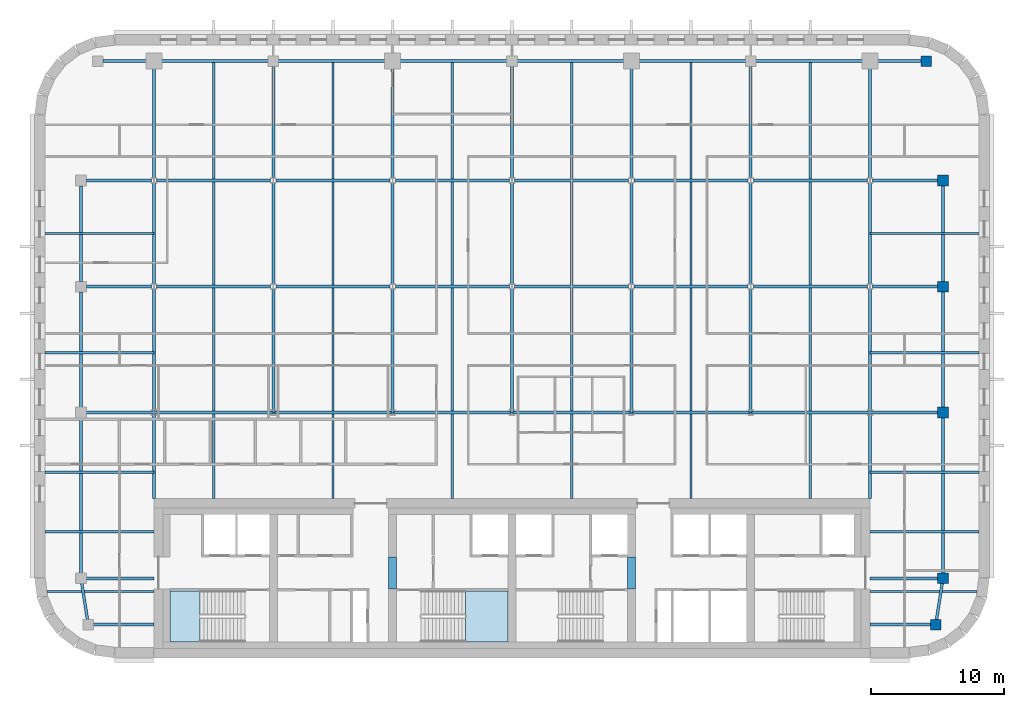
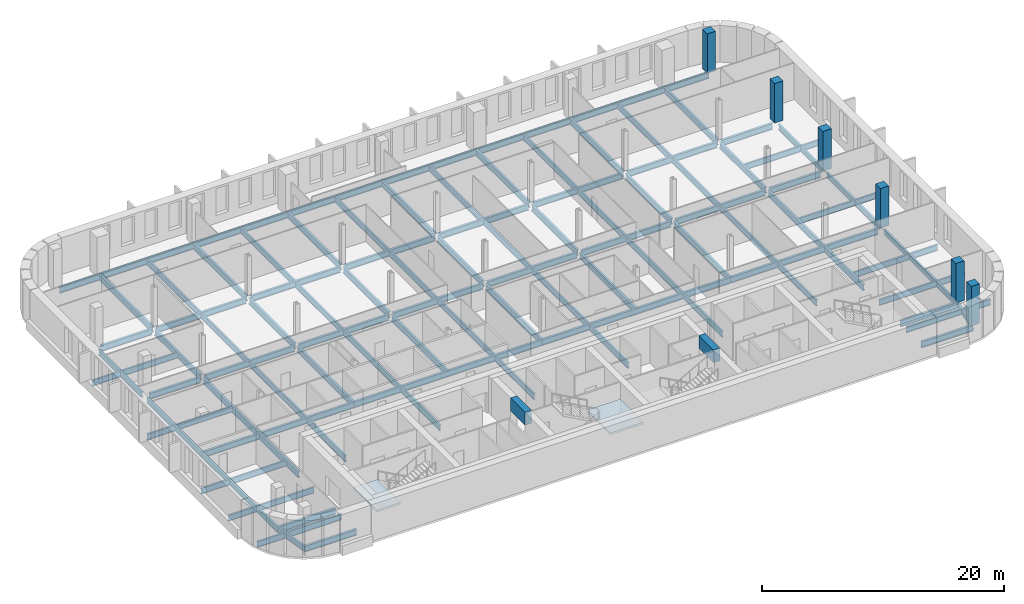
# One storey, part 4 of 15: 75 beams, 6 columns, 2 slabs, 2 elements without a shape of their own.
"""IFC4 building model written with IfcOpenShell, lengths in metres."""

from ifc_helpers import new_model, si_unit, direction, frame, origin, origin_2d, place, context, subcontext, project, spatial, polyline, rectangle, i_section, outline, extrude, material, layer, layer_set, material_profile, profile_set, type_object, element, aggregate, save


model = new_model("IFC4")

# Units and contexts
model_context = context("Model", 3, precision=1e-05, world=origin(), true_north=direction((0.0, 1.0)))
body_context = subcontext(model_context, "Body", "Model", "MODEL_VIEW")
ifc_project = project(units=[si_unit("LENGTHUNIT", "METRE"), si_unit("AREAUNIT", "SQUARE_METRE"), si_unit("VOLUMEUNIT", "CUBIC_METRE"), si_unit("PLANEANGLEUNIT", "RADIAN"), si_unit("MASSUNIT", "GRAM", prefix="KILO")], contexts=[model_context])

# Site, building, storey
site_placement = place(None, origin())
site = spatial("IfcSite", under=ifc_project, at=site_placement, CompositionType="ELEMENT")
building_placement = place(site_placement, origin())
building = spatial("IfcBuilding", under=site, at=building_placement, Name="Zellij Exchange Tower", CompositionType="ELEMENT")
storey_placement = place(building_placement, frame((0.0, 0.0, 260.5)))
storey = spatial("IfcBuildingStorey", under=building, at=storey_placement, Name="L61", CompositionType="ELEMENT", Elevation=260.5)

# Columns
ifc_material_1 = material(Name="Concrete C50/60", Category="concrete")
ifc_material_profile_1 = material_profile(ifc_material_1, rectangle(XDim=0.800048828125, YDim=0.800048828125, at=origin_2d()), Name="STR-COLUMN RC800x800 C50/60")
ifc_profile_set_1 = profile_set([ifc_material_profile_1], Name="Concrete C50/60")
column_type = type_object("IfcColumnType", Name="STR-COLUMN RC800x800 C50/60", PredefinedType="COLUMN", material=ifc_profile_set_1)
for number, where, z_axis, x_axis, name in (
    (1, (31.949951171875, -11.5, 0.0), (0.0, 0.0, 1.0), (1.0, 0.0, 0.0), "C15"),
    (2, (32.5, -8.0, 0.0), (0.0, 0.0, 1.0), (1.0, 0.0, 0.0), "C15"),
    (3, (32.5, 4.5, 0.0), (0.0, 0.0, 1.0), (1.0, 0.0, 0.0), "C15"),
    (4, (32.5, 14.0, 0.0), (0.0, 0.0, 1.0), (1.0, 0.0, 0.0), "C15"),
    (5, (32.5, 22.0, 0.0), (0.0, 0.0, 1.0), (1.0, 0.0, 0.0), "C15"),
    (6, (31.25, 31.0, 0.0), (0.0, 0.0, 1.0), (1.0, 0.0, 0.0), "C15"),
):
    element("IfcColumn", number, at=place(storey_placement, frame(where, z_axis=z_axis, x_axis=x_axis)), inside=storey, type_object=column_type, Name=name, PredefinedType="COLUMN", context=body_context, shape_type="SweptSolid", body=[
        extrude(rectangle(XDim=0.800048828125, YDim=0.800048828125, at=origin_2d()), origin(), (0.0, 0.0, 1.0), 4.0),
    ])

# Beams
ifc_material_profile_2 = material_profile(ifc_material_1, rectangle(XDim=0.60009765625, YDim=1.300048828125, at=origin_2d()), Name="CORE-CB 600x1300 C50/60")
ifc_profile_set_2 = profile_set([ifc_material_profile_2], Name="Concrete C50/60")
beam_type_1 = type_object("IfcBeamType", Name="CORE-CB 600x1300 C50/60", PredefinedType="BEAM", material=ifc_profile_set_2)
for number, where, z_axis, x_axis, name in (
    (7, (-9.0, -8.800048828125, 3.050048828125), (0.0, 1.0, 0.0), (-1.0, 0.0, 0.0), "Core coupling beam x -9 L61"),
    (8, (9.0, -8.800048828125, 3.050048828125), (0.0, 1.0, 0.0), (-1.0, 0.0, 0.0), "Core coupling beam x 9 L61"),
):
    element("IfcBeam", number, at=place(storey_placement, frame(where, z_axis=z_axis, x_axis=x_axis)), inside=storey, type_object=beam_type_1, Name=name, PredefinedType="BEAM", context=body_context, shape_type="SweptSolid", body=[
        extrude(rectangle(XDim=0.60009765625, YDim=1.300048828125, at=origin_2d()), origin(), (0.0, 0.0, 1.0), 2.425048828125),
    ])
ifc_material_2 = material(Name="Structural steel ASTM A992 Gr 50", Category="steel")
ifc_material_profile_3 = material_profile(ifc_material_2, i_section(OverallWidth=0.177978515625, OverallDepth=0.599365234375, WebThickness=0.010009765625, FlangeThickness=0.012939453125, at=origin_2d()), Name="W24x55")
ifc_profile_set_3 = profile_set([ifc_material_profile_3], Name="Structural steel ASTM A992 Gr 50")
beam_type_2 = type_object("IfcBeamType", Name="STR-BEAM W24x55", PredefinedType="BEAM", material=ifc_profile_set_3)
for number, where, z_axis, x_axis, name in (
    (9, (-22.5, -2.0, -0.499755859375), (0.0, 1.0, 0.0), (-1.0, 0.0, 0.0), "B4"),
    (10, (-13.5, -2.0, -0.499755859375), (0.0, 1.0, 0.0), (-1.0, 0.0, 0.0), "B4"),
    (11, (-4.5, -2.0, -0.499755859375), (0.0, 1.0, 0.0), (-1.0, 0.0, 0.0), "B4"),
    (12, (4.5, -2.0, -0.499755859375), (0.0, 1.0, 0.0), (-1.0, 0.0, 0.0), "B4"),
    (13, (13.5, -2.0, -0.499755859375), (0.0, 1.0, 0.0), (-1.0, 0.0, 0.0), "B4"),
    (14, (22.5, -2.0, -0.499755859375), (0.0, 1.0, 0.0), (-1.0, 0.0, 0.0), "B4"),
):
    element("IfcBeam", number, at=place(storey_placement, frame(where, z_axis=z_axis, x_axis=x_axis)), inside=storey, type_object=beam_type_2, Name=name, PredefinedType="BEAM", context=body_context, shape_type="SweptSolid", body=[
        extrude(i_section(OverallWidth=0.177978515625, OverallDepth=0.599365234375, WebThickness=0.010009765625, FlangeThickness=0.012939453125, at=origin_2d()), origin(), (0.0, 0.0, 1.0), 33.1142578125),
    ])
beam_1_placement = place(storey_placement, frame((-35.06103515625, -9.0, -0.499755859375), z_axis=(1.0, 0.0, 0.0), x_axis=(0.0, 1.0, 0.0)))
element("IfcBeam", 15, at=beam_1_placement, inside=storey, type_object=beam_type_2, Name="B4", PredefinedType="BEAM", context=body_context, shape_type="SweptSolid", body=[
    extrude(i_section(OverallWidth=0.177978515625, OverallDepth=0.599365234375, WebThickness=0.010009765625, FlangeThickness=0.012939453125, at=origin_2d()), origin(), (0.0, 0.0, 1.0), 8.06103515625),
])
for number, where, z_axis, x_axis, name in (
    (16, (-35.199951171875, -4.5, -0.499755859375), (1.0, 0.0, 0.0), (0.0, 1.0, 0.0), "B4"),
    (17, (-35.199951171875, 0.0, -0.499755859375), (1.0, 0.0, 0.0), (0.0, 1.0, 0.0), "B4"),
    (18, (-35.199951171875, 9.0, -0.499755859375), (1.0, 0.0, 0.0), (0.0, 1.0, 0.0), "B4"),
    (19, (-35.199951171875, 18.0, -0.499755859375), (1.0, 0.0, 0.0), (0.0, 1.0, 0.0), "B4"),
):
    element("IfcBeam", number, at=place(storey_placement, frame(where, z_axis=z_axis, x_axis=x_axis)), inside=storey, type_object=beam_type_2, Name=name, PredefinedType="BEAM", context=body_context, shape_type="SweptSolid", body=[
        extrude(i_section(OverallWidth=0.177978515625, OverallDepth=0.599365234375, WebThickness=0.010009765625, FlangeThickness=0.012939453125, at=origin_2d()), origin(), (0.0, 0.0, 1.0), 8.199951171875),
    ])
beam_2_placement = place(storey_placement, frame((27.0, -9.0, -0.499755859375), z_axis=(1.0, 0.0, 0.0), x_axis=(0.0, 1.0, 0.0)))
element("IfcBeam", 20, at=beam_2_placement, inside=storey, type_object=beam_type_2, Name="B4", PredefinedType="BEAM", context=body_context, shape_type="SweptSolid", body=[
    extrude(i_section(OverallWidth=0.177978515625, OverallDepth=0.599365234375, WebThickness=0.010009765625, FlangeThickness=0.012939453125, at=origin_2d()), origin(), (0.0, 0.0, 1.0), 8.06103515625),
])
for number, where, z_axis, x_axis, name in (
    (21, (27.0, -4.5, -0.499755859375), (1.0, 0.0, 0.0), (0.0, 1.0, 0.0), "B4"),
    (22, (27.0, 0.0, -0.499755859375), (1.0, 0.0, 0.0), (0.0, 1.0, 0.0), "B4"),
    (23, (27.0, 9.0, -0.499755859375), (1.0, 0.0, 0.0), (0.0, 1.0, 0.0), "B4"),
    (24, (27.0, 18.0, -0.499755859375), (1.0, 0.0, 0.0), (0.0, 1.0, 0.0), "B4"),
):
    element("IfcBeam", number, at=place(storey_placement, frame(where, z_axis=z_axis, x_axis=x_axis)), inside=storey, type_object=beam_type_2, Name=name, PredefinedType="BEAM", context=body_context, shape_type="SweptSolid", body=[
        extrude(i_section(OverallWidth=0.177978515625, OverallDepth=0.599365234375, WebThickness=0.010009765625, FlangeThickness=0.012939453125, at=origin_2d()), origin(), (0.0, 0.0, 1.0), 8.199951171875),
    ])
ifc_material_profile_4 = material_profile(ifc_material_2, i_section(OverallWidth=0.209228515625, OverallDepth=0.533447265625, WebThickness=0.01025390625, FlangeThickness=0.015625, at=origin_2d()), Name="W21x62")
ifc_profile_set_4 = profile_set([ifc_material_profile_4], Name="Structural steel ASTM A992 Gr 50")
beam_type_3 = type_object("IfcBeamType", Name="STR-EDGE GIRDER W21x62", PredefinedType="BEAM", material=ifc_profile_set_4)
beam_3_placement = place(storey_placement, frame((-31.949951171875, -11.5, -0.466796875), z_axis=(-0.155251283593, 0.987875011802, 0.0), x_axis=(-0.987875011802, -0.155251283593, 0.0)))
element("IfcBeam", 25, at=beam_3_placement, inside=storey, type_object=beam_type_3, Name="EB3", PredefinedType="BEAM", context=body_context, shape_type="SweptSolid", body=[
    extrude(i_section(OverallWidth=0.209228515625, OverallDepth=0.533447265625, WebThickness=0.01025390625, FlangeThickness=0.015625, at=origin_2d()), origin(), (0.0, 0.0, 1.0), 3.54296875),
])
beam_4_placement = place(storey_placement, frame((-32.5, -8.0, -0.466796875), z_axis=(0.0, 1.0, 0.0), x_axis=(-1.0, 0.0, 0.0)))
element("IfcBeam", 26, at=beam_4_placement, inside=storey, type_object=beam_type_3, Name="EB3", PredefinedType="BEAM", context=body_context, shape_type="SweptSolid", body=[
    extrude(i_section(OverallWidth=0.209228515625, OverallDepth=0.533447265625, WebThickness=0.01025390625, FlangeThickness=0.015625, at=origin_2d()), origin(), (0.0, 0.0, 1.0), 12.5),
])
beam_5_placement = place(storey_placement, frame((-32.5, 4.5, -0.466796875), z_axis=(0.0, 1.0, 0.0), x_axis=(-1.0, 0.0, 0.0)))
element("IfcBeam", 27, at=beam_5_placement, inside=storey, type_object=beam_type_3, Name="EB3", PredefinedType="BEAM", context=body_context, shape_type="SweptSolid", body=[
    extrude(i_section(OverallWidth=0.209228515625, OverallDepth=0.533447265625, WebThickness=0.01025390625, FlangeThickness=0.015625, at=origin_2d()), origin(), (0.0, 0.0, 1.0), 9.10009765625),
])
beam_6_placement = place(storey_placement, frame((-32.5, 14.39990234375, -0.466796875), z_axis=(0.0, 1.0, 0.0), x_axis=(-1.0, 0.0, 0.0)))
element("IfcBeam", 28, at=beam_6_placement, inside=storey, type_object=beam_type_3, Name="EB3", PredefinedType="BEAM", context=body_context, shape_type="SweptSolid", body=[
    extrude(i_section(OverallWidth=0.209228515625, OverallDepth=0.533447265625, WebThickness=0.01025390625, FlangeThickness=0.015625, at=origin_2d()), origin(), (0.0, 0.0, 1.0), 7.2001953125),
])
beam_7_placement = place(storey_placement, frame((31.949951171875, -11.5, -0.466796875), z_axis=(0.155251283593, 0.987875011802, 0.0), x_axis=(-0.987875011802, 0.155251283593, 0.0)))
element("IfcBeam", 29, at=beam_7_placement, inside=storey, type_object=beam_type_3, Name="EB3", PredefinedType="BEAM", context=body_context, shape_type="SweptSolid", body=[
    extrude(i_section(OverallWidth=0.209228515625, OverallDepth=0.533447265625, WebThickness=0.01025390625, FlangeThickness=0.015625, at=origin_2d()), origin(), (0.0, 0.0, 1.0), 3.54296875),
])
beam_8_placement = place(storey_placement, frame((32.5, -8.0, -0.466796875), z_axis=(0.0, 1.0, 0.0), x_axis=(-1.0, 0.0, 0.0)))
element("IfcBeam", 30, at=beam_8_placement, inside=storey, type_object=beam_type_3, Name="EB3", PredefinedType="BEAM", context=body_context, shape_type="SweptSolid", body=[
    extrude(i_section(OverallWidth=0.209228515625, OverallDepth=0.533447265625, WebThickness=0.01025390625, FlangeThickness=0.015625, at=origin_2d()), origin(), (0.0, 0.0, 1.0), 12.10009765625),
])
beam_9_placement = place(storey_placement, frame((32.5, 4.89990234375, -0.466796875), z_axis=(0.0, 1.0, 0.0), x_axis=(-1.0, 0.0, 0.0)))
element("IfcBeam", 31, at=beam_9_placement, inside=storey, type_object=beam_type_3, Name="EB3", PredefinedType="BEAM", context=body_context, shape_type="SweptSolid", body=[
    extrude(i_section(OverallWidth=0.209228515625, OverallDepth=0.533447265625, WebThickness=0.01025390625, FlangeThickness=0.015625, at=origin_2d()), origin(), (0.0, 0.0, 1.0), 8.7001953125),
])
beam_10_placement = place(storey_placement, frame((32.5, 14.39990234375, -0.466796875), z_axis=(0.0, 1.0, 0.0), x_axis=(-1.0, 0.0, 0.0)))
element("IfcBeam", 32, at=beam_10_placement, inside=storey, type_object=beam_type_3, Name="EB3", PredefinedType="BEAM", context=body_context, shape_type="SweptSolid", body=[
    extrude(i_section(OverallWidth=0.209228515625, OverallDepth=0.533447265625, WebThickness=0.01025390625, FlangeThickness=0.015625, at=origin_2d()), origin(), (0.0, 0.0, 1.0), 7.2001953125),
])
ifc_material_profile_5 = material_profile(ifc_material_2, i_section(OverallWidth=0.228271484375, OverallDepth=0.607177734375, WebThickness=0.01123046875, FlangeThickness=0.017333984375, at=origin_2d()), Name="W24x76")
ifc_profile_set_5 = profile_set([ifc_material_profile_5], Name="Structural steel ASTM A992 Gr 50")
beam_type_4 = type_object("IfcBeamType", Name="STR-GIRDER W24x76", PredefinedType="BEAM", material=ifc_profile_set_5)
for number, where, z_axis, x_axis, name in (
    (33, (-31.949951171875, -11.5, -0.50341796875), (1.0, 0.0, 0.0), (0.0, 1.0, 0.0), "G2"),
    (34, (27.0, -11.5, -0.50341796875), (1.0, 0.0, 0.0), (0.0, 1.0, 0.0), "G2"),
):
    element("IfcBeam", number, at=place(storey_placement, frame(where, z_axis=z_axis, x_axis=x_axis)), inside=storey, type_object=beam_type_4, Name=name, PredefinedType="BEAM", context=body_context, shape_type="SweptSolid", body=[
        extrude(i_section(OverallWidth=0.228271484375, OverallDepth=0.607177734375, WebThickness=0.01123046875, FlangeThickness=0.017333984375, at=origin_2d()), origin(), (0.0, 0.0, 1.0), 4.949951171875),
    ])
for number, where, z_axis, x_axis, name in (
    (35, (-32.5, -8.0, -0.50341796875), (1.0, 0.0, 0.0), (0.0, 1.0, 0.0), "G2"),
    (36, (27.0, -8.0, -0.50341796875), (1.0, 0.0, 0.0), (0.0, 1.0, 0.0), "G2"),
):
    element("IfcBeam", number, at=place(storey_placement, frame(where, z_axis=z_axis, x_axis=x_axis)), inside=storey, type_object=beam_type_4, Name=name, PredefinedType="BEAM", context=body_context, shape_type="SweptSolid", body=[
        extrude(i_section(OverallWidth=0.228271484375, OverallDepth=0.607177734375, WebThickness=0.01123046875, FlangeThickness=0.017333984375, at=origin_2d()), origin(), (0.0, 0.0, 1.0), 5.5),
    ])
beam_11_placement = place(storey_placement, frame((-32.5, 4.5, -0.50341796875), z_axis=(1.0, 0.0, 0.0), x_axis=(0.0, 1.0, 0.0)))
element("IfcBeam", 37, at=beam_11_placement, inside=storey, type_object=beam_type_4, Name="G2", PredefinedType="BEAM", context=body_context, shape_type="SweptSolid", body=[
    extrude(i_section(OverallWidth=0.228271484375, OverallDepth=0.607177734375, WebThickness=0.01123046875, FlangeThickness=0.017333984375, at=origin_2d()), origin(), (0.0, 0.0, 1.0), 14.5),
])
for number, where, z_axis, x_axis, name in (
    (38, (-18.0, 4.5, -0.50341796875), (1.0, 0.0, 0.0), (0.0, 1.0, 0.0), "G2"),
    (39, (0.0, 4.5, -0.50341796875), (1.0, 0.0, 0.0), (0.0, 1.0, 0.0), "G2"),
):
    element("IfcBeam", number, at=place(storey_placement, frame(where, z_axis=z_axis, x_axis=x_axis)), inside=storey, type_object=beam_type_4, Name=name, PredefinedType="BEAM", context=body_context, shape_type="SweptSolid", body=[
        extrude(i_section(OverallWidth=0.228271484375, OverallDepth=0.607177734375, WebThickness=0.01123046875, FlangeThickness=0.017333984375, at=origin_2d()), origin(), (0.0, 0.0, 1.0), 18.0),
    ])
beam_12_placement = place(storey_placement, frame((18.0, 4.5, -0.50341796875), z_axis=(1.0, 0.0, 0.0), x_axis=(0.0, 1.0, 0.0)))
element("IfcBeam", 40, at=beam_12_placement, inside=storey, type_object=beam_type_4, Name="G2", PredefinedType="BEAM", context=body_context, shape_type="SweptSolid", body=[
    extrude(i_section(OverallWidth=0.228271484375, OverallDepth=0.607177734375, WebThickness=0.01123046875, FlangeThickness=0.017333984375, at=origin_2d()), origin(), (0.0, 0.0, 1.0), 14.10009765625),
])
beam_13_placement = place(storey_placement, frame((-32.10009765625, 14.0, -0.50341796875), z_axis=(1.0, 0.0, 0.0), x_axis=(0.0, 1.0, 0.0)))
element("IfcBeam", 41, at=beam_13_placement, inside=storey, type_object=beam_type_4, Name="G2", PredefinedType="BEAM", context=body_context, shape_type="SweptSolid", body=[
    extrude(i_section(OverallWidth=0.228271484375, OverallDepth=0.607177734375, WebThickness=0.01123046875, FlangeThickness=0.017333984375, at=origin_2d()), origin(), (0.0, 0.0, 1.0), 4.900634765625),
])
for number, where, z_axis, x_axis, name in (
    (42, (-26.800537109375, 14.0, -0.50341796875), (1.0, 0.0, 0.0), (0.0, 1.0, 0.0), "G2"),
    (43, (-17.800537109375, 14.0, -0.50341796875), (1.0, 0.0, 0.0), (0.0, 1.0, 0.0), "G2"),
    (44, (-8.800537109375, 14.0, -0.50341796875), (1.0, 0.0, 0.0), (0.0, 1.0, 0.0), "G2"),
    (45, (0.199462890625, 14.0, -0.50341796875), (1.0, 0.0, 0.0), (0.0, 1.0, 0.0), "G2"),
    (46, (9.199462890625, 14.0, -0.50341796875), (1.0, 0.0, 0.0), (0.0, 1.0, 0.0), "G2"),
    (47, (18.199462890625, 14.0, -0.50341796875), (1.0, 0.0, 0.0), (0.0, 1.0, 0.0), "G2"),
):
    element("IfcBeam", number, at=place(storey_placement, frame(where, z_axis=z_axis, x_axis=x_axis)), inside=storey, type_object=beam_type_4, Name=name, PredefinedType="BEAM", context=body_context, shape_type="SweptSolid", body=[
        extrude(i_section(OverallWidth=0.228271484375, OverallDepth=0.607177734375, WebThickness=0.01123046875, FlangeThickness=0.017333984375, at=origin_2d()), origin(), (0.0, 0.0, 1.0), 8.60107421875),
    ])
for number, where, z_axis, x_axis, name in (
    (48, (27.199462890625, 14.0, -0.50341796875), (1.0, 0.0, 0.0), (0.0, 1.0, 0.0), "G2"),
    (49, (-32.10009765625, 22.0, -0.50341796875), (1.0, 0.0, 0.0), (0.0, 1.0, 0.0), "G2"),
):
    element("IfcBeam", number, at=place(storey_placement, frame(where, z_axis=z_axis, x_axis=x_axis)), inside=storey, type_object=beam_type_4, Name=name, PredefinedType="BEAM", context=body_context, shape_type="SweptSolid", body=[
        extrude(i_section(OverallWidth=0.228271484375, OverallDepth=0.607177734375, WebThickness=0.01123046875, FlangeThickness=0.017333984375, at=origin_2d()), origin(), (0.0, 0.0, 1.0), 4.900634765625),
    ])
for number, where, z_axis, x_axis, name in (
    (50, (-26.800537109375, 22.0, -0.50341796875), (1.0, 0.0, 0.0), (0.0, 1.0, 0.0), "G2"),
    (51, (-17.800537109375, 22.0, -0.50341796875), (1.0, 0.0, 0.0), (0.0, 1.0, 0.0), "G2"),
    (52, (-8.800537109375, 22.0, -0.50341796875), (1.0, 0.0, 0.0), (0.0, 1.0, 0.0), "G2"),
    (53, (0.199462890625, 22.0, -0.50341796875), (1.0, 0.0, 0.0), (0.0, 1.0, 0.0), "G2"),
    (54, (9.199462890625, 22.0, -0.50341796875), (1.0, 0.0, 0.0), (0.0, 1.0, 0.0), "G2"),
    (55, (18.199462890625, 22.0, -0.50341796875), (1.0, 0.0, 0.0), (0.0, 1.0, 0.0), "G2"),
):
    element("IfcBeam", number, at=place(storey_placement, frame(where, z_axis=z_axis, x_axis=x_axis)), inside=storey, type_object=beam_type_4, Name=name, PredefinedType="BEAM", context=body_context, shape_type="SweptSolid", body=[
        extrude(i_section(OverallWidth=0.228271484375, OverallDepth=0.607177734375, WebThickness=0.01123046875, FlangeThickness=0.017333984375, at=origin_2d()), origin(), (0.0, 0.0, 1.0), 8.60107421875),
    ])
beam_14_placement = place(storey_placement, frame((27.199462890625, 22.0, -0.50341796875), z_axis=(1.0, 0.0, 0.0), x_axis=(0.0, 1.0, 0.0)))
element("IfcBeam", 56, at=beam_14_placement, inside=storey, type_object=beam_type_4, Name="G2", PredefinedType="BEAM", context=body_context, shape_type="SweptSolid", body=[
    extrude(i_section(OverallWidth=0.228271484375, OverallDepth=0.607177734375, WebThickness=0.01123046875, FlangeThickness=0.017333984375, at=origin_2d()), origin(), (0.0, 0.0, 1.0), 4.900634765625),
])
beam_15_placement = place(storey_placement, frame((-30.85009765625, 31.0, -0.50341796875), z_axis=(1.0, 0.0, 0.0), x_axis=(0.0, 1.0, 0.0)))
element("IfcBeam", 57, at=beam_15_placement, inside=storey, type_object=beam_type_4, Name="G2", PredefinedType="BEAM", context=body_context, shape_type="SweptSolid", body=[
    extrude(i_section(OverallWidth=0.228271484375, OverallDepth=0.607177734375, WebThickness=0.01123046875, FlangeThickness=0.017333984375, at=origin_2d()), origin(), (0.0, 0.0, 1.0), 12.85009765625),
])
for number, where, z_axis, x_axis, name in (
    (58, (-18.0, 31.0, -0.50341796875), (1.0, 0.0, 0.0), (0.0, 1.0, 0.0), "G2"),
    (59, (0.0, 31.0, -0.50341796875), (1.0, 0.0, 0.0), (0.0, 1.0, 0.0), "G2"),
):
    element("IfcBeam", number, at=place(storey_placement, frame(where, z_axis=z_axis, x_axis=x_axis)), inside=storey, type_object=beam_type_4, Name=name, PredefinedType="BEAM", context=body_context, shape_type="SweptSolid", body=[
        extrude(i_section(OverallWidth=0.228271484375, OverallDepth=0.607177734375, WebThickness=0.01123046875, FlangeThickness=0.017333984375, at=origin_2d()), origin(), (0.0, 0.0, 1.0), 18.0),
    ])
beam_16_placement = place(storey_placement, frame((18.0, 31.0, -0.50341796875), z_axis=(1.0, 0.0, 0.0), x_axis=(0.0, 1.0, 0.0)))
element("IfcBeam", 60, at=beam_16_placement, inside=storey, type_object=beam_type_4, Name="G2", PredefinedType="BEAM", context=body_context, shape_type="SweptSolid", body=[
    extrude(i_section(OverallWidth=0.228271484375, OverallDepth=0.607177734375, WebThickness=0.01123046875, FlangeThickness=0.017333984375, at=origin_2d()), origin(), (0.0, 0.0, 1.0), 13.25),
])
beam_17_placement = place(storey_placement, frame((-27.0, -2.0, -0.50341796875), z_axis=(0.0, 1.0, 0.0), x_axis=(-1.0, 0.0, 0.0)))
element("IfcBeam", 61, at=beam_17_placement, inside=storey, type_object=beam_type_4, Name="G2", PredefinedType="BEAM", context=body_context, shape_type="SweptSolid", body=[
    extrude(i_section(OverallWidth=0.228271484375, OverallDepth=0.607177734375, WebThickness=0.01123046875, FlangeThickness=0.017333984375, at=origin_2d()), origin(), (0.0, 0.0, 1.0), 15.806884765625),
])
beam_18_placement = place(storey_placement, frame((-27.0, 14.193115234375, -0.50341796875), z_axis=(0.0, 1.0, 0.0), x_axis=(-1.0, 0.0, 0.0)))
element("IfcBeam", 62, at=beam_18_placement, inside=storey, type_object=beam_type_4, Name="G2", PredefinedType="BEAM", context=body_context, shape_type="SweptSolid", body=[
    extrude(i_section(OverallWidth=0.228271484375, OverallDepth=0.607177734375, WebThickness=0.01123046875, FlangeThickness=0.017333984375, at=origin_2d()), origin(), (0.0, 0.0, 1.0), 7.61376953125),
])
beam_19_placement = place(storey_placement, frame((-27.0, 22.193115234375, -0.50341796875), z_axis=(0.0, 1.0, 0.0), x_axis=(-1.0, 0.0, 0.0)))
element("IfcBeam", 63, at=beam_19_placement, inside=storey, type_object=beam_type_4, Name="G2", PredefinedType="BEAM", context=body_context, shape_type="SweptSolid", body=[
    extrude(i_section(OverallWidth=0.228271484375, OverallDepth=0.607177734375, WebThickness=0.01123046875, FlangeThickness=0.017333984375, at=origin_2d()), origin(), (0.0, 0.0, 1.0), 8.806884765625),
])
beam_20_placement = place(storey_placement, frame((-18.0, 4.5, -0.50341796875), z_axis=(0.0, 1.0, 0.0), x_axis=(-1.0, 0.0, 0.0)))
element("IfcBeam", 64, at=beam_20_placement, inside=storey, type_object=beam_type_4, Name="G2", PredefinedType="BEAM", context=body_context, shape_type="SweptSolid", body=[
    extrude(i_section(OverallWidth=0.228271484375, OverallDepth=0.607177734375, WebThickness=0.01123046875, FlangeThickness=0.017333984375, at=origin_2d()), origin(), (0.0, 0.0, 1.0), 9.306884765625),
])
beam_21_placement = place(storey_placement, frame((-18.0, 14.193115234375, -0.50341796875), z_axis=(0.0, 1.0, 0.0), x_axis=(-1.0, 0.0, 0.0)))
element("IfcBeam", 65, at=beam_21_placement, inside=storey, type_object=beam_type_4, Name="G2", PredefinedType="BEAM", context=body_context, shape_type="SweptSolid", body=[
    extrude(i_section(OverallWidth=0.228271484375, OverallDepth=0.607177734375, WebThickness=0.01123046875, FlangeThickness=0.017333984375, at=origin_2d()), origin(), (0.0, 0.0, 1.0), 7.61376953125),
])
beam_22_placement = place(storey_placement, frame((-18.0, 22.193115234375, -0.50341796875), z_axis=(0.0, 1.0, 0.0), x_axis=(-1.0, 0.0, 0.0)))
element("IfcBeam", 66, at=beam_22_placement, inside=storey, type_object=beam_type_4, Name="G2", PredefinedType="BEAM", context=body_context, shape_type="SweptSolid", body=[
    extrude(i_section(OverallWidth=0.228271484375, OverallDepth=0.607177734375, WebThickness=0.01123046875, FlangeThickness=0.017333984375, at=origin_2d()), origin(), (0.0, 0.0, 1.0), 8.806884765625),
])
beam_23_placement = place(storey_placement, frame((-9.0, 4.5, -0.50341796875), z_axis=(0.0, 1.0, 0.0), x_axis=(-1.0, 0.0, 0.0)))
element("IfcBeam", 67, at=beam_23_placement, inside=storey, type_object=beam_type_4, Name="G2", PredefinedType="BEAM", context=body_context, shape_type="SweptSolid", body=[
    extrude(i_section(OverallWidth=0.228271484375, OverallDepth=0.607177734375, WebThickness=0.01123046875, FlangeThickness=0.017333984375, at=origin_2d()), origin(), (0.0, 0.0, 1.0), 9.306884765625),
])
beam_24_placement = place(storey_placement, frame((-9.0, 14.193115234375, -0.50341796875), z_axis=(0.0, 1.0, 0.0), x_axis=(-1.0, 0.0, 0.0)))
element("IfcBeam", 68, at=beam_24_placement, inside=storey, type_object=beam_type_4, Name="G2", PredefinedType="BEAM", context=body_context, shape_type="SweptSolid", body=[
    extrude(i_section(OverallWidth=0.228271484375, OverallDepth=0.607177734375, WebThickness=0.01123046875, FlangeThickness=0.017333984375, at=origin_2d()), origin(), (0.0, 0.0, 1.0), 7.61376953125),
])
beam_25_placement = place(storey_placement, frame((-9.0, 22.193115234375, -0.50341796875), z_axis=(0.0, 1.0, 0.0), x_axis=(-1.0, 0.0, 0.0)))
element("IfcBeam", 69, at=beam_25_placement, inside=storey, type_object=beam_type_4, Name="G2", PredefinedType="BEAM", context=body_context, shape_type="SweptSolid", body=[
    extrude(i_section(OverallWidth=0.228271484375, OverallDepth=0.607177734375, WebThickness=0.01123046875, FlangeThickness=0.017333984375, at=origin_2d()), origin(), (0.0, 0.0, 1.0), 8.806884765625),
])
beam_26_placement = place(storey_placement, frame((0.0, 4.5, -0.50341796875), z_axis=(0.0, 1.0, 0.0), x_axis=(-1.0, 0.0, 0.0)))
element("IfcBeam", 70, at=beam_26_placement, inside=storey, type_object=beam_type_4, Name="G2", PredefinedType="BEAM", context=body_context, shape_type="SweptSolid", body=[
    extrude(i_section(OverallWidth=0.228271484375, OverallDepth=0.607177734375, WebThickness=0.01123046875, FlangeThickness=0.017333984375, at=origin_2d()), origin(), (0.0, 0.0, 1.0), 9.306884765625),
])
beam_27_placement = place(storey_placement, frame((0.0, 14.193115234375, -0.50341796875), z_axis=(0.0, 1.0, 0.0), x_axis=(-1.0, 0.0, 0.0)))
element("IfcBeam", 71, at=beam_27_placement, inside=storey, type_object=beam_type_4, Name="G2", PredefinedType="BEAM", context=body_context, shape_type="SweptSolid", body=[
    extrude(i_section(OverallWidth=0.228271484375, OverallDepth=0.607177734375, WebThickness=0.01123046875, FlangeThickness=0.017333984375, at=origin_2d()), origin(), (0.0, 0.0, 1.0), 7.61376953125),
])
beam_28_placement = place(storey_placement, frame((0.0, 22.193115234375, -0.50341796875), z_axis=(0.0, 1.0, 0.0), x_axis=(-1.0, 0.0, 0.0)))
element("IfcBeam", 72, at=beam_28_placement, inside=storey, type_object=beam_type_4, Name="G2", PredefinedType="BEAM", context=body_context, shape_type="SweptSolid", body=[
    extrude(i_section(OverallWidth=0.228271484375, OverallDepth=0.607177734375, WebThickness=0.01123046875, FlangeThickness=0.017333984375, at=origin_2d()), origin(), (0.0, 0.0, 1.0), 8.806884765625),
])
beam_29_placement = place(storey_placement, frame((9.0, 4.5, -0.50341796875), z_axis=(0.0, 1.0, 0.0), x_axis=(-1.0, 0.0, 0.0)))
element("IfcBeam", 73, at=beam_29_placement, inside=storey, type_object=beam_type_4, Name="G2", PredefinedType="BEAM", context=body_context, shape_type="SweptSolid", body=[
    extrude(i_section(OverallWidth=0.228271484375, OverallDepth=0.607177734375, WebThickness=0.01123046875, FlangeThickness=0.017333984375, at=origin_2d()), origin(), (0.0, 0.0, 1.0), 9.306884765625),
])
beam_30_placement = place(storey_placement, frame((9.0, 14.193115234375, -0.50341796875), z_axis=(0.0, 1.0, 0.0), x_axis=(-1.0, 0.0, 0.0)))
element("IfcBeam", 74, at=beam_30_placement, inside=storey, type_object=beam_type_4, Name="G2", PredefinedType="BEAM", context=body_context, shape_type="SweptSolid", body=[
    extrude(i_section(OverallWidth=0.228271484375, OverallDepth=0.607177734375, WebThickness=0.01123046875, FlangeThickness=0.017333984375, at=origin_2d()), origin(), (0.0, 0.0, 1.0), 7.61376953125),
])
beam_31_placement = place(storey_placement, frame((9.0, 22.193115234375, -0.50341796875), z_axis=(0.0, 1.0, 0.0), x_axis=(-1.0, 0.0, 0.0)))
element("IfcBeam", 75, at=beam_31_placement, inside=storey, type_object=beam_type_4, Name="G2", PredefinedType="BEAM", context=body_context, shape_type="SweptSolid", body=[
    extrude(i_section(OverallWidth=0.228271484375, OverallDepth=0.607177734375, WebThickness=0.01123046875, FlangeThickness=0.017333984375, at=origin_2d()), origin(), (0.0, 0.0, 1.0), 8.806884765625),
])
beam_32_placement = place(storey_placement, frame((18.0, 4.5, -0.50341796875), z_axis=(0.0, 1.0, 0.0), x_axis=(-1.0, 0.0, 0.0)))
element("IfcBeam", 76, at=beam_32_placement, inside=storey, type_object=beam_type_4, Name="G2", PredefinedType="BEAM", context=body_context, shape_type="SweptSolid", body=[
    extrude(i_section(OverallWidth=0.228271484375, OverallDepth=0.607177734375, WebThickness=0.01123046875, FlangeThickness=0.017333984375, at=origin_2d()), origin(), (0.0, 0.0, 1.0), 9.306884765625),
])
beam_33_placement = place(storey_placement, frame((18.0, 14.193115234375, -0.50341796875), z_axis=(0.0, 1.0, 0.0), x_axis=(-1.0, 0.0, 0.0)))
element("IfcBeam", 77, at=beam_33_placement, inside=storey, type_object=beam_type_4, Name="G2", PredefinedType="BEAM", context=body_context, shape_type="SweptSolid", body=[
    extrude(i_section(OverallWidth=0.228271484375, OverallDepth=0.607177734375, WebThickness=0.01123046875, FlangeThickness=0.017333984375, at=origin_2d()), origin(), (0.0, 0.0, 1.0), 7.61376953125),
])
beam_34_placement = place(storey_placement, frame((18.0, 22.193115234375, -0.50341796875), z_axis=(0.0, 1.0, 0.0), x_axis=(-1.0, 0.0, 0.0)))
element("IfcBeam", 78, at=beam_34_placement, inside=storey, type_object=beam_type_4, Name="G2", PredefinedType="BEAM", context=body_context, shape_type="SweptSolid", body=[
    extrude(i_section(OverallWidth=0.228271484375, OverallDepth=0.607177734375, WebThickness=0.01123046875, FlangeThickness=0.017333984375, at=origin_2d()), origin(), (0.0, 0.0, 1.0), 8.806884765625),
])
beam_35_placement = place(storey_placement, frame((27.0, -2.0, -0.50341796875), z_axis=(0.0, 1.0, 0.0), x_axis=(-1.0, 0.0, 0.0)))
element("IfcBeam", 79, at=beam_35_placement, inside=storey, type_object=beam_type_4, Name="G2", PredefinedType="BEAM", context=body_context, shape_type="SweptSolid", body=[
    extrude(i_section(OverallWidth=0.228271484375, OverallDepth=0.607177734375, WebThickness=0.01123046875, FlangeThickness=0.017333984375, at=origin_2d()), origin(), (0.0, 0.0, 1.0), 15.806884765625),
])
beam_36_placement = place(storey_placement, frame((27.0, 14.193115234375, -0.50341796875), z_axis=(0.0, 1.0, 0.0), x_axis=(-1.0, 0.0, 0.0)))
element("IfcBeam", 80, at=beam_36_placement, inside=storey, type_object=beam_type_4, Name="G2", PredefinedType="BEAM", context=body_context, shape_type="SweptSolid", body=[
    extrude(i_section(OverallWidth=0.228271484375, OverallDepth=0.607177734375, WebThickness=0.01123046875, FlangeThickness=0.017333984375, at=origin_2d()), origin(), (0.0, 0.0, 1.0), 7.61376953125),
])
beam_37_placement = place(storey_placement, frame((27.0, 22.193115234375, -0.50341796875), z_axis=(0.0, 1.0, 0.0), x_axis=(-1.0, 0.0, 0.0)))
element("IfcBeam", 81, at=beam_37_placement, inside=storey, type_object=beam_type_4, Name="G2", PredefinedType="BEAM", context=body_context, shape_type="SweptSolid", body=[
    extrude(i_section(OverallWidth=0.228271484375, OverallDepth=0.607177734375, WebThickness=0.01123046875, FlangeThickness=0.017333984375, at=origin_2d()), origin(), (0.0, 0.0, 1.0), 8.806884765625),
])

# Stair, slab
ifc_material_3 = material(Name="Concrete C40/50", Category="concrete")
stair_type = type_object("IfcStairType", Name="CORE-ST exit stair 1850 wide", PredefinedType="HALF_TURN_STAIR", material=ifc_material_3)
stair_1_placement = place(storey_placement, origin())
stair_1 = element("IfcStair", 82, at=stair_1_placement, inside=storey, type_object=stair_type, Name="L61 exit stair ST1", PredefinedType="HALF_TURN_STAIR")
ifc_layer = layer(ifc_material_3, 0.199951171875)
ifc_layer_set = layer_set([ifc_layer], Name="Concrete C40/50")
slab_type = type_object("IfcSlabType", Name="CORE-SL stair landing 200", PredefinedType="LANDING", material=ifc_layer_set)
slab_1_placement = place(storey_placement, frame((0.0, 0.0, 1.800048828125)))
slab_1 = element("IfcSlab", 83, at=slab_1_placement, type_object=slab_type, Name="ST1 landing 1", PredefinedType="LANDING", context=body_context, shape_type="SweptSolid", body=[
    extrude(outline(polyline([(-23.510009765625, -8.949951171875), (-25.800048828125, -8.949951171875), (-25.800048828125, -12.800048828125), (-23.510009765625, -12.800048828125), (-23.510009765625, -8.949951171875)])), origin(), (0.0, 0.0, 1.0), 0.199951171875),
])
aggregate(stair_1, [slab_1])

stair_2_placement = place(storey_placement, origin())
stair_2 = element("IfcStair", 84, at=stair_2_placement, inside=storey, type_object=stair_type, Name="L61 exit stair ST2", PredefinedType="HALF_TURN_STAIR")
slab_2_placement = place(storey_placement, frame((0.0, 0.0, 1.800048828125)))
slab_2 = element("IfcSlab", 85, at=slab_2_placement, type_object=slab_type, Name="ST2 landing 1", PredefinedType="LANDING", context=body_context, shape_type="SweptSolid", body=[
    extrude(outline(polyline([(-3.489990234375, -12.800048828125), (-0.300048828125, -12.800048828125), (-0.300048828125, -8.949951171875), (-3.489990234375, -8.949951171875), (-3.489990234375, -12.800048828125)])), origin(), (0.0, 0.0, 1.0), 0.199951171875),
])
aggregate(stair_2, [slab_2])

save(model, "model.ifc")
